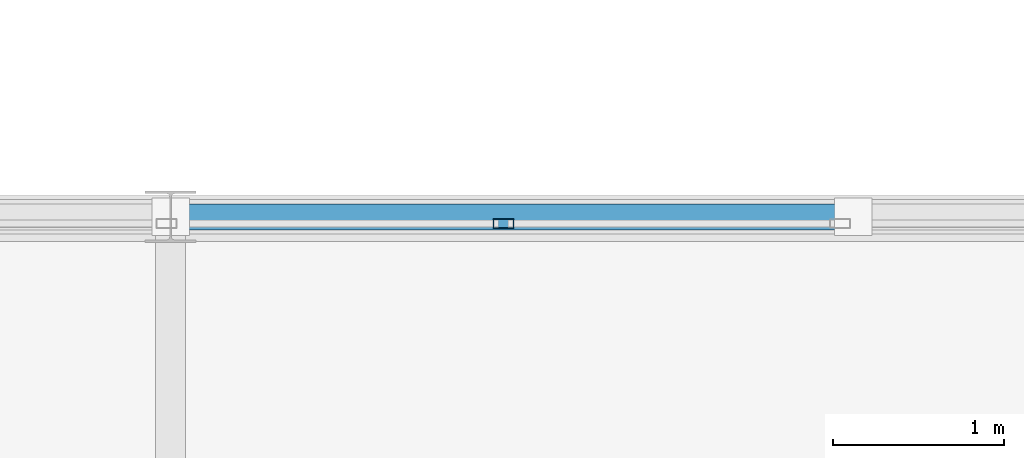
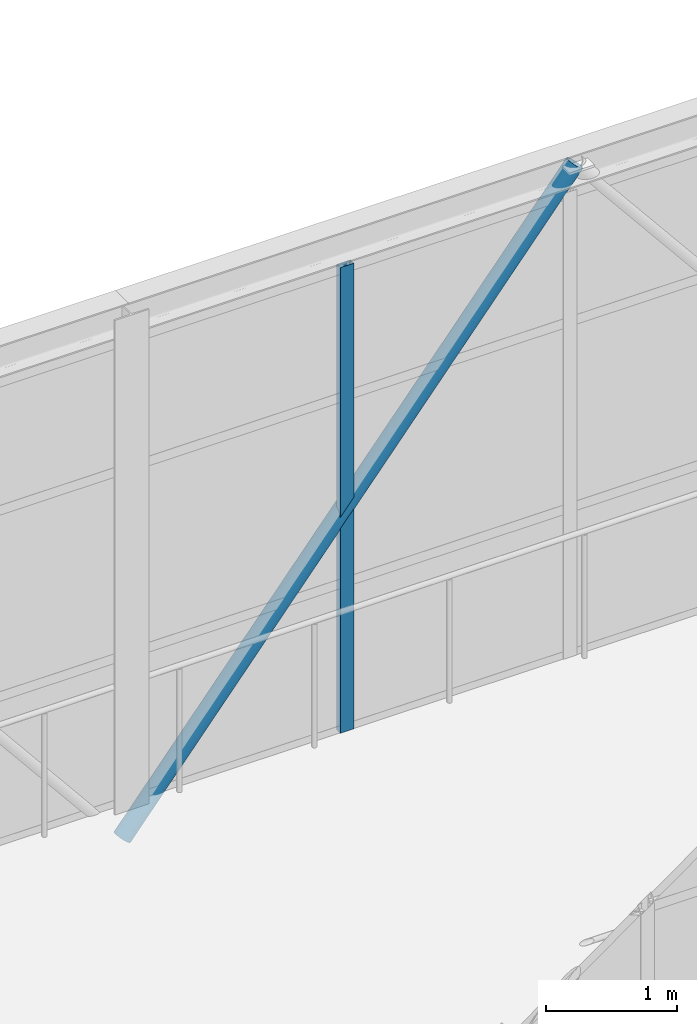
# One storey, part 161 of 248: 2 members, 1 element without a shape of its own.
"""IFC4 building model written with IfcOpenShell, lengths in metres."""

from ifc_helpers import new_model, si_unit, direction, frame, origin, origin_2d, place, context, subcontext, project, spatial, hollow_rectangle, hollow_circle, extrude, material, layer, layer_set, material_profile, profile_set, type_object, element, aggregate, save


model = new_model("IFC4")

# Units and contexts
model_context = context("Model", 3, precision=1e-05, world=origin(), true_north=direction((0.0, 1.0)))
body_context = subcontext(model_context, "Body", "Model", "MODEL_VIEW")
ifc_project = project(units=[si_unit("LENGTHUNIT", "METRE"), si_unit("AREAUNIT", "SQUARE_METRE"), si_unit("VOLUMEUNIT", "CUBIC_METRE"), si_unit("PLANEANGLEUNIT", "RADIAN"), si_unit("MASSUNIT", "GRAM", prefix="KILO")], contexts=[model_context])

# Site, building, storey
site_placement = place(None, origin())
site = spatial("IfcSite", under=ifc_project, at=site_placement, CompositionType="ELEMENT")
building_placement = place(site_placement, origin())
building = spatial("IfcBuilding", under=site, at=building_placement, Name="Canggui Botanical Conservatory", CompositionType="ELEMENT")
storey_placement = place(building_placement, frame((0.0, 0.0, 5.39990234375)))
storey = spatial("IfcBuildingStorey", under=building, at=storey_placement, Name="L02", CompositionType="ELEMENT", Elevation=5.39990234375)

# Curtain wall, member
ifc_material_1 = material(Name="Thermally Broken Aluminium", Category="aluminium")
ifc_layer = layer(ifc_material_1, 0.1201171875, Name="Thermally Broken Aluminium", Category="aluminium")
ifc_layer_set = layer_set([ifc_layer], Name="Thermally Broken Aluminium")
curtain_wall_type = type_object("IfcCurtainWallType", Name="CW-STICK-B", PredefinedType="USERDEFINED", material=ifc_layer_set)
curtain_wall_placement = place(storey_placement, origin())
curtain_wall = element("IfcCurtainWall", 1, at=curtain_wall_placement, inside=storey, type_object=curtain_wall_type, Name="Facade Curtain Wall CW-SB-04-2", ObjectType="STICK GLAZED WALL", PredefinedType="USERDEFINED")
ifc_material_profile_1 = material_profile(ifc_material_1, hollow_rectangle(XDim=0.054931640625, YDim=0.1201171875, WallThickness=0.0029296875, at=origin_2d()), Name="CWM 55x120x3")
ifc_profile_set_1 = profile_set([ifc_material_profile_1], Name="Thermally Broken Aluminium")
member_type_1 = type_object("IfcMemberType", Name="CWM-05", PredefinedType="MULLION", material=ifc_profile_set_1)
member_1_placement = place(storey_placement, frame((107.448974609375, 79.9599609375, 0.0), z_axis=(0.0, 0.0, 1.0), x_axis=(0.0, 1.0, 0.0)))
member_1 = element("IfcMember", 2, at=member_1_placement, type_object=member_type_1, Name="CW-05 mullion 22", PredefinedType="MULLION", context=body_context, shape_type="SweptSolid", body=[
    extrude(hollow_rectangle(XDim=0.054931640625, YDim=0.1201171875, WallThickness=0.0029296875, at=origin_2d()), origin(), (0.0, 0.0, 1.0), 4.35009765625),
])
aggregate(curtain_wall, [member_1])

# Member
ifc_material_2 = material(Name="Steel Q355C", Category="steel")
ifc_material_profile_2 = material_profile(ifc_material_2, hollow_circle(Radius=0.075927734375, WallThickness=0.006103515625, at=origin_2d()), Name="CHS 152x6")
ifc_profile_set_2 = profile_set([ifc_material_profile_2], Name="Steel Q355C")
member_type_2 = type_object("IfcMemberType", Name="MEM-GSD04", PredefinedType="RAFTER", material=ifc_profile_set_2)
member_2_placement = place(storey_placement, frame((105.5, 80.0, -0.349853515625), z_axis=(0.632384053133, 0.0, 0.774655026024), x_axis=(0.0, 1.0, 0.0)))
element("IfcMember", 3, at=member_2_placement, inside=storey, type_object=member_type_2, Name="SB-04 Truss Web Rafter 2.7A", PredefinedType="RAFTER", context=body_context, shape_type="SweptSolid", body=[
    extrude(hollow_circle(Radius=0.075927734375, WallThickness=0.006103515625, at=origin_2d()), origin(), (0.0, 0.0, 1.0), 6.3251953125),
])

save(model, "model.ifc")
